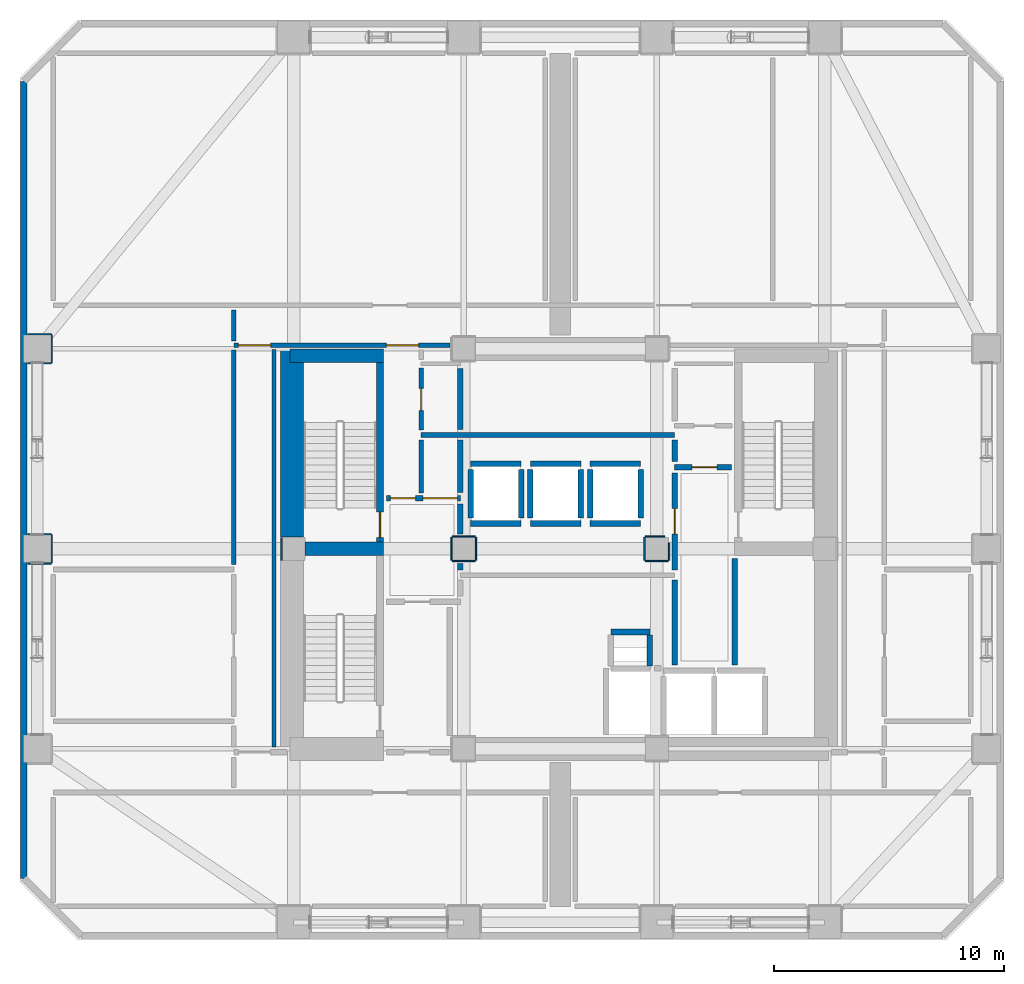
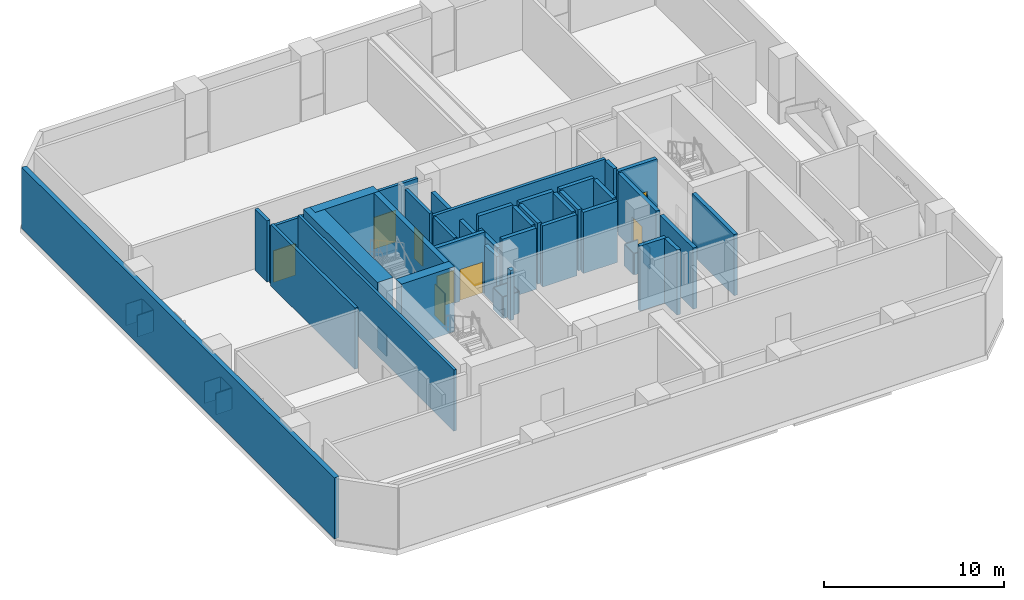
# One storey, part 8 of 11: 51 walls, 8 doors, 8 openings.
"""IFC4 building model written with IfcOpenShell, lengths in metres."""

from ifc_helpers import new_model, si_unit, direction, frame, frame_2d, origin, place, context, subcontext, project, spatial, rectangle, extrude, material, layer, layer_set, type_object, element, fill, save


model = new_model("IFC4")

# Units and contexts
model_context = context("Model", 3, precision=1e-05, world=origin(), true_north=direction((0.0, 1.0)))
body_context = subcontext(model_context, "Body", "Model", "MODEL_VIEW")
ifc_project = project(units=[si_unit("LENGTHUNIT", "METRE"), si_unit("AREAUNIT", "SQUARE_METRE"), si_unit("VOLUMEUNIT", "CUBIC_METRE"), si_unit("PLANEANGLEUNIT", "RADIAN"), si_unit("MASSUNIT", "GRAM", prefix="KILO")], contexts=[model_context])

# Site, building, storey
site_placement = place(None, origin())
site = spatial("IfcSite", under=ifc_project, at=site_placement, CompositionType="ELEMENT")
building_placement = place(site_placement, origin())
building = spatial("IfcBuilding", under=site, at=building_placement, Name="Solanera Arch Residences", CompositionType="ELEMENT")
storey_placement = place(building_placement, frame((0.0, 0.0, 88.39990234375)))
storey = spatial("IfcBuildingStorey", under=building, at=storey_placement, Name="L25", CompositionType="ELEMENT", Elevation=88.39990234375)

# Walls
ifc_material_1 = material(Name="Fire-Rated Gypsum Stud Partition", Category="gypsum")
ifc_layer_1 = layer(ifc_material_1, 0.06005859375)
ifc_layer_set_1 = layer_set([ifc_layer_1], Name="Fire-Rated Gypsum Stud Partition")
wall_type_1 = type_object("IfcWallType", Name="Column Acoustic Furring Wall 60", PredefinedType="PARTITIONING", material=ifc_layer_set_1)
wall_1_placement = place(storey_placement, frame((12.867919921875, 30.2099609375, 0.0), z_axis=(0.0, 0.0, 1.0), x_axis=(0.0, 1.0, 0.0)))
element("IfcWall", 1, at=wall_1_placement, inside=storey, type_object=wall_type_1, Name="L25 Column Furring 5W", PredefinedType="PARTITIONING", context=body_context, shape_type="SweptSolid", body=[
    extrude(rectangle(XDim=0.97998046875, YDim=0.06005859375, at=frame_2d((0.489990234375, 0.0))), origin(), (0.0, 0.0, 1.0), 1.4501953125),
])
for number, where, z_axis, x_axis, name in (
    (2, (20.300048828125, 30.16796875, 0.0), (0.0, 0.0, 1.0), (1.0, 0.0, 0.0), "L25 Column Furring 7S"),
    (3, (20.300048828125, 31.23193359375, 0.0), (0.0, 0.0, 1.0), (1.0, 0.0, 0.0), "L25 Column Furring 7N"),
    (4, (20.26806640625, 30.199951171875, 0.0), (0.0, 0.0, 1.0), (0.0, 1.0, 0.0), "L25 Column Furring 7W"),
    (5, (21.33203125, 30.199951171875, 0.0), (0.0, 0.0, 1.0), (0.0, 1.0, 0.0), "L25 Column Furring 7E"),
    (6, (28.699951171875, 30.16796875, 0.0), (0.0, 0.0, 1.0), (1.0, 0.0, 0.0), "L25 Column Furring 8S"),
):
    element("IfcWall", number, at=place(storey_placement, frame(where, z_axis=z_axis, x_axis=x_axis)), inside=storey, type_object=wall_type_1, Name=name, PredefinedType="PARTITIONING", context=body_context, shape_type="SweptSolid", body=[
        extrude(rectangle(XDim=1.0, YDim=0.06005859375, at=frame_2d((0.5, 0.0))), origin(), (0.0, 0.0, 1.0), 1.4501953125),
    ])
wall_2_placement = place(storey_placement, frame((28.699951171875, 31.23193359375, 0.0), z_axis=(0.0, 0.0, 1.0), x_axis=(1.0, 0.0, 0.0)))
element("IfcWall", 7, at=wall_2_placement, inside=storey, type_object=wall_type_1, Name="L25 Column Furring 8N", PredefinedType="PARTITIONING", context=body_context, shape_type="SweptSolid", body=[
    extrude(rectangle(XDim=0.841064453125, YDim=0.06005859375, at=frame_2d((0.42041015625, 0.0))), origin(), (0.0, 0.0, 1.0), 1.4501953125),
])
wall_3_placement = place(storey_placement, frame((28.66796875, 30.199951171875, 0.0), z_axis=(0.0, 0.0, 1.0), x_axis=(0.0, 1.0, 0.0)))
element("IfcWall", 8, at=wall_3_placement, inside=storey, type_object=wall_type_1, Name="L25 Column Furring 8W", PredefinedType="PARTITIONING", context=body_context, shape_type="SweptSolid", body=[
    extrude(rectangle(XDim=1.0, YDim=0.06005859375, at=frame_2d((0.5, 0.0))), origin(), (0.0, 0.0, 1.0), 1.4501953125),
])
wall_4_placement = place(storey_placement, frame((29.73193359375, 30.199951171875, 0.0), z_axis=(0.0, 0.0, 1.0), x_axis=(0.0, 1.0, 0.0)))
element("IfcWall", 9, at=wall_4_placement, inside=storey, type_object=wall_type_1, Name="L25 Column Furring 8E", PredefinedType="PARTITIONING", context=body_context, shape_type="SweptSolid", body=[
    extrude(rectangle(XDim=0.77197265625, YDim=0.06005859375, at=frame_2d((0.385986328125, 0.0))), origin(), (0.0, 0.0, 1.0), 1.4501953125),
])
for number, where, z_axis, x_axis, name in (
    (10, (1.830078125, 30.068115234375, 0.0), (0.0, 0.0, 1.0), (1.0, 0.0, 0.0), "L25 Column Furring 19S"),
    (11, (1.830078125, 31.33203125, 0.0), (0.0, 0.0, 1.0), (1.0, 0.0, 0.0), "L25 Column Furring 19N"),
):
    element("IfcWall", number, at=place(storey_placement, frame(where, z_axis=z_axis, x_axis=x_axis)), inside=storey, type_object=wall_type_1, Name=name, PredefinedType="PARTITIONING", context=body_context, shape_type="SweptSolid", body=[
        extrude(rectangle(XDim=1.02001953125, YDim=0.06005859375, at=frame_2d((0.510009765625, 0.0))), origin(), (0.0, 0.0, 1.0), 1.4501953125),
    ])
wall_5_placement = place(storey_placement, frame((2.882080078125, 30.10009765625, 0.0), z_axis=(0.0, 0.0, 1.0), x_axis=(0.0, 1.0, 0.0)))
element("IfcWall", 12, at=wall_5_placement, inside=storey, type_object=wall_type_1, Name="L25 Column Furring 19E", PredefinedType="PARTITIONING", context=body_context, shape_type="SweptSolid", body=[
    extrude(rectangle(XDim=1.199951171875, YDim=0.06005859375, at=frame_2d((0.60009765625, 0.0))), origin(), (0.0, 0.0, 1.0), 1.4501953125),
])
for number, where, z_axis, x_axis, name in (
    (13, (1.830078125, 38.76806640625, 0.0), (0.0, 0.0, 1.0), (1.0, 0.0, 0.0), "L25 Column Furring 21S"),
    (14, (1.830078125, 40.031982421875, 0.0), (0.0, 0.0, 1.0), (1.0, 0.0, 0.0), "L25 Column Furring 21N"),
):
    element("IfcWall", number, at=place(storey_placement, frame(where, z_axis=z_axis, x_axis=x_axis)), inside=storey, type_object=wall_type_1, Name=name, PredefinedType="PARTITIONING", context=body_context, shape_type="SweptSolid", body=[
        extrude(rectangle(XDim=1.02001953125, YDim=0.06005859375, at=frame_2d((0.510009765625, 0.0))), origin(), (0.0, 0.0, 1.0), 1.4501953125),
    ])
wall_6_placement = place(storey_placement, frame((2.882080078125, 38.800048828125, 0.0), z_axis=(0.0, 0.0, 1.0), x_axis=(0.0, 1.0, 0.0)))
element("IfcWall", 15, at=wall_6_placement, inside=storey, type_object=wall_type_1, Name="L25 Column Furring 21E", PredefinedType="PARTITIONING", context=body_context, shape_type="SweptSolid", body=[
    extrude(rectangle(XDim=1.199951171875, YDim=0.06005859375, at=frame_2d((0.60009765625, 0.0))), origin(), (0.0, 0.0, 1.0), 1.4501953125),
])
ifc_material_2 = material(Name="Concrete C55/67 (f'c = 60 MPa)", Category="concrete")
ifc_layer_2 = layer(ifc_material_2, 1.0)
ifc_layer_set_2 = layer_set([ifc_layer_2], Name="Concrete C55/67 (f'c = 60 MPa)")
wall_type_2 = type_object("IfcWallType", Name="Core Shear Wall CW-1000", PredefinedType="SHEAR", material=ifc_layer_set_2)
wall_7_placement = place(storey_placement, frame((13.340087890625, 31.205078125, 0.0), z_axis=(0.0, 0.0, 1.0), x_axis=(0.0, 1.0, 0.0)))
element("IfcWall", 16, at=wall_7_placement, inside=storey, type_object=wall_type_2, Name="L25 West Core North Shear Wall", PredefinedType="SHEAR", context=body_context, shape_type="SweptSolid", body=[
    extrude(rectangle(XDim=8.19482421875, YDim=1.0, at=frame_2d((4.097412109375, 0.0))), origin(), (0.0, 0.0, 1.0), 4.400146484375),
])

# Wall, opening, door
ifc_material_3 = material(Name="Concrete C40/50 (f'c = 45 MPa)", Category="concrete")
ifc_layer_3 = layer(ifc_material_3, 0.320068359375)
ifc_layer_set_3 = layer_set([ifc_layer_3], Name="Concrete C40/50 (f'c = 45 MPa)")
wall_type_3 = type_object("IfcWallType", Name="Core Shear Wall CW-320", PredefinedType="SHEAR", material=ifc_layer_set_3)
wall_8_placement = place(storey_placement, frame((17.159912109375, 31.0, 0.0), z_axis=(0.0, 0.0, 1.0), x_axis=(0.0, 1.0, 0.0)))
wall_8 = element("IfcWall", 17, at=wall_8_placement, inside=storey, type_object=wall_type_3, Name="L25 Stair ST-T1 East Shear Wall", PredefinedType="SHEAR", context=body_context, shape_type="SweptSolid", body=[
    extrude(rectangle(XDim=7.800048828125, YDim=0.320068359375, at=frame_2d((3.89990234375, 0.0))), origin(), (0.0, 0.0, 1.0), 4.400146484375),
])
opening_1_placement = place(wall_8_placement, frame((0.18994140625, 0.0, 0.0)))
opening_1 = element("IfcOpeningElement", 18, at=opening_1_placement, cuts=wall_8, Name="Opening DF-01", PredefinedType="OPENING", context=body_context, shape_type="SweptSolid", body=[
    extrude(rectangle(XDim=1.10009765625, YDim=2.14990234375, at=frame_2d((0.550048828125, 1.074951171875))), frame((0.0, 0.169921875, 0.0), z_axis=(0.0, -1.0, 0.0), x_axis=(1.0, 0.0, 0.0)), (0.0, 0.0, 1.0), 0.3401),
])
ifc_material_4 = material(Name="Fire-Rated Architectural Hardwood", Category="wood")
door_type_1 = type_object("IfcDoorType", Name="Stair Exit Fire Door DF-01", OperationType="NOTDEFINED", PredefinedType="DOOR", material=ifc_material_4)
door_1_placement = place(opening_1_placement, origin())
door_1 = element("IfcDoor", 19, at=door_1_placement, inside=storey, type_object=door_type_1, Name="DR-L25-STAIR-ST-T1", OperationType="SINGLE_SWING_LEFT", OverallHeight=2.14990234375, OverallWidth=1.10009765625, PredefinedType="DOOR", context=body_context, shape_type="SweptSolid", body=[
    extrude(rectangle(XDim=1.10009765625, YDim=2.14990234375, at=frame_2d((0.550048828125, 1.074951171875))), frame((0.0, 0.02490234375, 0.0), z_axis=(0.0, -1.0, 0.0), x_axis=(1.0, 0.0, 0.0)), (0.0, 0.0, 1.0), 0.050048828125),
])
fill(opening_1, door_1)

# Walls
ifc_material_5 = material(Name="Concrete C40/50 (f'c = 45 MPa)", Category="concrete")
ifc_layer_4 = layer(ifc_material_5, 0.60009765625)
ifc_layer_set_4 = layer_set([ifc_layer_4], Name="Concrete C40/50 (f'c = 45 MPa)")
wall_type_4 = type_object("IfcWallType", Name="Core Shear Wall CW-600", PredefinedType="SHEAR", material=ifc_layer_set_4)
wall_9_placement = place(storey_placement, frame((13.239990234375, 39.10009765625, 0.0), z_axis=(0.0, 0.0, 1.0), x_axis=(1.0, 0.0, 0.0)))
element("IfcWall", 20, at=wall_9_placement, inside=storey, type_object=wall_type_4, Name="L25 North-West Core Shear Wall", PredefinedType="SHEAR", context=body_context, shape_type="SweptSolid", body=[
    extrude(rectangle(XDim=4.080078125, YDim=0.60009765625, at=frame_2d((2.0400390625, 0.0))), origin(), (0.0, 0.0, 1.0), 4.400146484375),
])
wall_10_placement = place(storey_placement, frame((13.905029296875, 30.699951171875, 0.0), z_axis=(0.0, 0.0, 1.0), x_axis=(1.0, 0.0, 0.0)))
element("IfcWall", 21, at=wall_10_placement, inside=storey, type_object=wall_type_4, Name="L25 West Stair Divider Shear Wall", PredefinedType="SHEAR", context=body_context, shape_type="SweptSolid", body=[
    extrude(rectangle(XDim=3.4150390625, YDim=0.60009765625, at=frame_2d((1.70751953125, 0.0))), origin(), (0.0, 0.0, 1.0), 4.400146484375),
])

# Wall, openings, doors
ifc_material_6 = material(Name="Autoclaved Aerated Concrete Blockwork", Category="masonry")
ifc_layer_5 = layer(ifc_material_6, 0.179931640625)
ifc_layer_set_5 = layer_set([ifc_layer_5], Name="Autoclaved Aerated Concrete Blockwork")
wall_type_5 = type_object("IfcWallType", Name="Corridor Fire Partition 180", PredefinedType="PARTITIONING", material=ifc_layer_set_5)
wall_11_placement = place(storey_placement, frame((10.800048828125, 39.550048828125, 0.0), z_axis=(0.0, 0.0, 1.0), x_axis=(1.0, 0.0, 0.0)))
wall_11 = element("IfcWall", 22, at=wall_11_placement, inside=storey, type_object=wall_type_5, Name="L25 Interior Partition H19 1", PredefinedType="PARTITIONING", context=body_context, shape_type="SweptSolid", body=[
    extrude(rectangle(XDim=9.39794921875, YDim=0.179931640625, at=frame_2d((4.698974609375, 0.0))), origin(), (0.0, 0.0, 1.0), 3.878173828125),
])
opening_2_placement = place(wall_11_placement, frame((6.635009765625, 0.0, 0.0)))
opening_2 = element("IfcOpeningElement", 23, at=opening_2_placement, cuts=wall_11, Name="Opening DF-03", PredefinedType="OPENING", context=body_context, shape_type="SweptSolid", body=[
    extrude(rectangle(XDim=1.39990234375, YDim=2.14990234375, at=frame_2d((0.699951171875, 1.074951171875))), frame((0.0, 0.10009765625, 0.0), z_axis=(0.0, -1.0, 0.0), x_axis=(1.0, 0.0, 0.0)), (0.0, 0.0, 1.0), 0.1999),
])
opening_3_placement = place(wall_11_placement, frame((0.198974609375, 0.0, 0.0)))
opening_3 = element("IfcOpeningElement", 24, at=opening_3_placement, cuts=wall_11, Name="Opening DF-03", PredefinedType="OPENING", context=body_context, shape_type="SweptSolid", body=[
    extrude(rectangle(XDim=1.39990234375, YDim=2.14990234375, at=frame_2d((0.699951171875, 1.074951171875))), frame((0.0, 0.10009765625, 0.0), z_axis=(0.0, -1.0, 0.0), x_axis=(1.0, 0.0, 0.0)), (0.0, 0.0, 1.0), 0.1999),
])
ifc_material_7 = material(Name="Fire-Rated Architectural Hardwood", Category="wood")
door_type_2 = type_object("IfcDoorType", Name="Corridor Smoke Door DF-03", OperationType="NOTDEFINED", PredefinedType="DOOR", material=ifc_material_7)
door_2_placement = place(opening_2_placement, origin())
door_2 = element("IfcDoor", 25, at=door_2_placement, inside=storey, type_object=door_type_2, Name="DR-L25-IN-009", OperationType="SINGLE_SWING_LEFT", OverallHeight=2.14990234375, OverallWidth=1.39990234375, PredefinedType="DOOR", context=body_context, shape_type="SweptSolid", body=[
    extrude(rectangle(XDim=1.39990234375, YDim=2.14990234375, at=frame_2d((0.699951171875, 1.074951171875))), frame((0.0, 0.02490234375, 0.0), z_axis=(0.0, -1.0, 0.0), x_axis=(1.0, 0.0, 0.0)), (0.0, 0.0, 1.0), 0.050048828125),
])
fill(opening_2, door_2)
door_3_placement = place(opening_3_placement, origin())
door_3 = element("IfcDoor", 26, at=door_3_placement, inside=storey, type_object=door_type_2, Name="DR-L25-IN-012", OperationType="SINGLE_SWING_RIGHT", OverallHeight=2.14990234375, OverallWidth=1.39990234375, PredefinedType="DOOR", context=body_context, shape_type="SweptSolid", body=[
    extrude(rectangle(XDim=1.39990234375, YDim=2.14990234375, at=frame_2d((0.699951171875, 1.074951171875))), frame((0.0, 0.02490234375, 0.0), z_axis=(0.0, -1.0, 0.0), x_axis=(1.0, 0.0, 0.0)), (0.0, 0.0, 1.0), 0.050048828125),
])
fill(opening_3, door_3)

# Walls
wall_12_placement = place(storey_placement, frame((12.550048828125, 22.068115234375, 0.0), z_axis=(0.0, 0.0, 1.0), x_axis=(0.0, 1.0, 0.0)))
element("IfcWall", 27, at=wall_12_placement, inside=storey, type_object=wall_type_5, Name="L25 Interior Partition V20", PredefinedType="PARTITIONING", context=body_context, shape_type="SweptSolid", body=[
    extrude(rectangle(XDim=17.2939453125, YDim=0.179931640625, at=frame_2d((8.64697265625, 0.0))), origin(), (0.0, 0.0, 1.0), 4.14013671875),
])
ifc_material_8 = material(Name="Precast Concrete C35/45", Category="concrete")
ifc_layer_6 = layer(ifc_material_8, 0.300048828125)
ifc_layer_set_6 = layer_set([ifc_layer_6], Name="Precast Concrete C35/45")
wall_type_6 = type_object("IfcWallType", Name="Exterior Wall Precast Masonry-Frame 300", PredefinedType="STANDARD", material=ifc_layer_set_6)
wall_13_placement = place(storey_placement, frame((1.6650390625, 16.364990234375, 0.0), z_axis=(0.0, 0.0, 1.0), x_axis=(0.0, 1.0, 0.0)))
element("IfcWall", 28, at=wall_13_placement, inside=storey, type_object=wall_type_6, Name="L25 Tower Exterior Precast Masonry-Frame Wall W", PredefinedType="STANDARD", context=body_context, shape_type="SweptSolid", body=[
    extrude(rectangle(XDim=34.669921875, YDim=0.300048828125, at=frame_2d((17.3349609375, 0.0))), origin(), (0.0, 0.0, 1.0), 4.14013671875),
])
ifc_material_9 = material(Name="Autoclaved Aerated Concrete Blockwork", Category="masonry")
ifc_layer_7 = layer(ifc_material_9, 0.199951171875)
ifc_layer_set_7 = layer_set([ifc_layer_7], Name="Autoclaved Aerated Concrete Blockwork")
wall_type_7 = type_object("IfcWallType", Name="Party Wall Acoustic 200", PredefinedType="PARTITIONING", material=ifc_layer_set_7)
wall_14_placement = place(storey_placement, frame((18.949951171875, 35.64990234375, 0.0), z_axis=(0.0, 0.0, 1.0), x_axis=(1.0, 0.0, 0.0)))
element("IfcWall", 29, at=wall_14_placement, inside=storey, type_object=wall_type_7, Name="L25 Interior Partition H13", PredefinedType="PARTITIONING", context=body_context, shape_type="SweptSolid", body=[
    extrude(rectangle(XDim=11.025146484375, YDim=0.199951171875, at=frame_2d((5.5126953125, 0.0))), origin(), (0.0, 0.0, 1.0), 4.14013671875),
])
wall_15_placement = place(storey_placement, frame((10.800048828125, 30.008056640625, 0.0), z_axis=(0.0, 0.0, 1.0), x_axis=(0.0, 1.0, 0.0)))
element("IfcWall", 30, at=wall_15_placement, inside=storey, type_object=wall_type_7, Name="L25 Interior Partition V9 4", PredefinedType="PARTITIONING", context=body_context, shape_type="SweptSolid", body=[
    extrude(rectangle(XDim=9.343994140625, YDim=0.199951171875, at=frame_2d((4.671875, 0.0))), origin(), (0.0, 0.0, 1.0), 4.14013671875),
])
wall_16_placement = place(storey_placement, frame((10.800048828125, 39.748046875, 0.0), z_axis=(0.0, 0.0, 1.0), x_axis=(0.0, 1.0, 0.0)))
element("IfcWall", 31, at=wall_16_placement, inside=storey, type_object=wall_type_7, Name="L25 Interior Partition V9 5", PredefinedType="PARTITIONING", context=body_context, shape_type="SweptSolid", body=[
    extrude(rectangle(XDim=1.343994140625, YDim=0.199951171875, at=frame_2d((0.671875, 0.0))), origin(), (0.0, 0.0, 1.0), 4.14013671875),
])
wall_17_placement = place(storey_placement, frame((18.949951171875, 33.1279296875, 0.0), z_axis=(0.0, 0.0, 1.0), x_axis=(0.0, 1.0, 0.0)))
element("IfcWall", 32, at=wall_17_placement, inside=storey, type_object=wall_type_7, Name="L25 Interior Partition V10 1", PredefinedType="PARTITIONING", context=body_context, shape_type="SweptSolid", body=[
    extrude(rectangle(XDim=2.31396484375, YDim=0.199951171875, at=frame_2d((1.156982421875, 0.0))), origin(), (0.0, 0.0, 1.0), 4.14013671875),
])

# Wall, opening, door
wall_18_placement = place(storey_placement, frame((18.949951171875, 35.85791015625, 0.0), z_axis=(0.0, 0.0, 1.0), x_axis=(0.0, 1.0, 0.0)))
wall_18 = element("IfcWall", 33, at=wall_18_placement, inside=storey, type_object=wall_type_7, Name="L25 Interior Partition V10 2", PredefinedType="PARTITIONING", context=body_context, shape_type="SweptSolid", body=[
    extrude(rectangle(XDim=2.714111328125, YDim=0.199951171875, at=frame_2d((1.35693359375, 0.0))), origin(), (0.0, 0.0, 1.0), 4.14013671875),
])
opening_4_placement = place(wall_18_placement, frame((0.866943359375, 0.0, 0.0)))
opening_4 = element("IfcOpeningElement", 34, at=opening_4_placement, cuts=wall_18, Name="Opening DI-04", PredefinedType="OPENING", context=body_context, shape_type="SweptSolid", body=[
    extrude(rectangle(XDim=0.949951171875, YDim=2.10009765625, at=frame_2d((0.47509765625, 1.050048828125))), frame((0.0, 0.110107421875, 0.0), z_axis=(0.0, -1.0, 0.0), x_axis=(1.0, 0.0, 0.0)), (0.0, 0.0, 1.0), 0.22),
])
ifc_material_10 = material(Name="Fire-Rated Architectural Hardwood", Category="wood")
door_type_3 = type_object("IfcDoorType", Name="Accessible Restroom Door DI-04", OperationType="NOTDEFINED", PredefinedType="DOOR", material=ifc_material_10)
door_4_placement = place(opening_4_placement, origin())
door_4 = element("IfcDoor", 35, at=door_4_placement, inside=storey, type_object=door_type_3, Name="DR-L25-IN-016", OperationType="SINGLE_SWING_RIGHT", OverallHeight=2.10009765625, OverallWidth=0.949951171875, PredefinedType="DOOR", context=body_context, shape_type="SweptSolid", body=[
    extrude(rectangle(XDim=0.949951171875, YDim=2.10009765625, at=frame_2d((0.47509765625, 1.050048828125))), frame((0.0, 0.02490234375, 0.0), z_axis=(0.0, -1.0, 0.0), x_axis=(1.0, 0.0, 0.0)), (0.0, 0.0, 1.0), 0.050048828125),
])
fill(opening_4, door_4)

# Walls
ifc_material_11 = material(Name="Concrete C40/50 (f'c = 45 MPa)", Category="concrete")
ifc_layer_8 = layer(ifc_material_11, 0.239990234375)
ifc_layer_set_8 = layer_set([ifc_layer_8], Name="Concrete C40/50 (f'c = 45 MPa)")
wall_type_8 = type_object("IfcWallType", Name="Ramp Bearing Shear Wall RW-240", PredefinedType="SHEAR", material=ifc_layer_set_8)
wall_19_placement = place(storey_placement, frame((27.199951171875, 27.080078125, 0.0), z_axis=(0.0, 0.0, 1.0), x_axis=(1.0, 0.0, 0.0)))
element("IfcWall", 36, at=wall_19_placement, inside=storey, type_object=wall_type_8, Name="L25 Core MEP Riser North Shaft Wall", PredefinedType="SHEAR", context=body_context, shape_type="SweptSolid", body=[
    extrude(rectangle(XDim=1.699951171875, YDim=0.239990234375, at=frame_2d((0.85009765625, 0.0))), origin(), (0.0, 0.0, 1.0), 4.400146484375),
])
wall_20_placement = place(storey_placement, frame((28.89990234375, 25.60009765625, 0.0), z_axis=(0.0, 0.0, 1.0), x_axis=(0.0, 1.0, 0.0)))
element("IfcWall", 37, at=wall_20_placement, inside=storey, type_object=wall_type_8, Name="L25 Core MEP Riser East Shaft Wall", PredefinedType="SHEAR", context=body_context, shape_type="SweptSolid", body=[
    extrude(rectangle(XDim=1.35986328125, YDim=0.239990234375, at=frame_2d((0.679931640625, 0.0))), origin(), (0.0, 0.0, 1.0), 4.400146484375),
])
ifc_material_12 = material(Name="Autoclaved Aerated Concrete Blockwork", Category="masonry")
ifc_layer_9 = layer(ifc_material_12, 0.239990234375)
ifc_layer_set_9 = layer_set([ifc_layer_9], Name="Autoclaved Aerated Concrete Blockwork")
wall_type_9 = type_object("IfcWallType", Name="Shaft Wall Fire-Rated 240", PredefinedType="PARTITIONING", material=ifc_layer_set_9)
for number, where, z_axis, x_axis, name in (
    (38, (21.10009765625, 31.800048828125, 0.0), (0.0, 0.0, 1.0), (1.0, 0.0, 0.0), "L25 Lift PL-M1 Hoistway Wall S"),
    (39, (21.10009765625, 34.39990234375, 0.0), (0.0, 0.0, 1.0), (1.0, 0.0, 0.0), "L25 Lift PL-M1 Hoistway Wall N"),
):
    element("IfcWall", number, at=place(storey_placement, frame(where, z_axis=z_axis, x_axis=x_axis)), inside=storey, type_object=wall_type_9, Name=name, PredefinedType="PARTITIONING", context=body_context, shape_type="SweptSolid", body=[
        extrude(rectangle(XDim=2.199951171875, YDim=0.239990234375, at=frame_2d((1.10009765625, 0.0))), origin(), (0.0, 0.0, 1.0), 4.14013671875),
    ])
wall_21_placement = place(storey_placement, frame((21.10009765625, 32.048095703125, 0.0), z_axis=(0.0, 0.0, 1.0), x_axis=(0.0, 1.0, 0.0)))
element("IfcWall", 40, at=wall_21_placement, inside=storey, type_object=wall_type_9, Name="L25 Lift PL-M1 Hoistway Wall W", PredefinedType="PARTITIONING", context=body_context, shape_type="SweptSolid", body=[
    extrude(rectangle(XDim=2.10400390625, YDim=0.239990234375, at=frame_2d((1.052001953125, 0.0))), origin(), (0.0, 0.0, 1.0), 3.375),
])
wall_22_placement = place(storey_placement, frame((23.300048828125, 32.048095703125, 0.0), z_axis=(0.0, 0.0, 1.0), x_axis=(0.0, 1.0, 0.0)))
element("IfcWall", 41, at=wall_22_placement, inside=storey, type_object=wall_type_9, Name="L25 Lift PL-M1 Hoistway Wall E", PredefinedType="PARTITIONING", context=body_context, shape_type="SweptSolid", body=[
    extrude(rectangle(XDim=2.10400390625, YDim=0.239990234375, at=frame_2d((1.052001953125, 0.0))), origin(), (0.0, 0.0, 1.0), 4.14013671875),
])
for number, where, z_axis, x_axis, name in (
    (42, (23.699951171875, 31.800048828125, 0.0), (0.0, 0.0, 1.0), (1.0, 0.0, 0.0), "L25 Lift PL-M2 Hoistway Wall S"),
    (43, (23.699951171875, 34.39990234375, 0.0), (0.0, 0.0, 1.0), (1.0, 0.0, 0.0), "L25 Lift PL-M2 Hoistway Wall N"),
):
    element("IfcWall", number, at=place(storey_placement, frame(where, z_axis=z_axis, x_axis=x_axis)), inside=storey, type_object=wall_type_9, Name=name, PredefinedType="PARTITIONING", context=body_context, shape_type="SweptSolid", body=[
        extrude(rectangle(XDim=2.199951171875, YDim=0.239990234375, at=frame_2d((1.10009765625, 0.0))), origin(), (0.0, 0.0, 1.0), 4.14013671875),
    ])
for number, where, z_axis, x_axis, name in (
    (44, (23.699951171875, 32.048095703125, 0.0), (0.0, 0.0, 1.0), (0.0, 1.0, 0.0), "L25 Lift PL-M2 Hoistway Wall W"),
    (45, (25.89990234375, 32.048095703125, 0.0), (0.0, 0.0, 1.0), (0.0, 1.0, 0.0), "L25 Lift PL-M2 Hoistway Wall E"),
):
    element("IfcWall", number, at=place(storey_placement, frame(where, z_axis=z_axis, x_axis=x_axis)), inside=storey, type_object=wall_type_9, Name=name, PredefinedType="PARTITIONING", context=body_context, shape_type="SweptSolid", body=[
        extrude(rectangle(XDim=2.10400390625, YDim=0.239990234375, at=frame_2d((1.052001953125, 0.0))), origin(), (0.0, 0.0, 1.0), 4.14013671875),
    ])
for number, where, z_axis, x_axis, name in (
    (46, (26.300048828125, 31.800048828125, 0.0), (0.0, 0.0, 1.0), (1.0, 0.0, 0.0), "L25 Lift PL-M3 Hoistway Wall S"),
    (47, (26.300048828125, 34.39990234375, 0.0), (0.0, 0.0, 1.0), (1.0, 0.0, 0.0), "L25 Lift PL-M3 Hoistway Wall N"),
):
    element("IfcWall", number, at=place(storey_placement, frame(where, z_axis=z_axis, x_axis=x_axis)), inside=storey, type_object=wall_type_9, Name=name, PredefinedType="PARTITIONING", context=body_context, shape_type="SweptSolid", body=[
        extrude(rectangle(XDim=2.199951171875, YDim=0.239990234375, at=frame_2d((1.10009765625, 0.0))), origin(), (0.0, 0.0, 1.0), 4.14013671875),
    ])
for number, where, z_axis, x_axis, name in (
    (48, (26.300048828125, 32.048095703125, 0.0), (0.0, 0.0, 1.0), (0.0, 1.0, 0.0), "L25 Lift PL-M3 Hoistway Wall W"),
    (49, (28.5, 32.048095703125, 0.0), (0.0, 0.0, 1.0), (0.0, 1.0, 0.0), "L25 Lift PL-M3 Hoistway Wall E"),
):
    element("IfcWall", number, at=place(storey_placement, frame(where, z_axis=z_axis, x_axis=x_axis)), inside=storey, type_object=wall_type_9, Name=name, PredefinedType="PARTITIONING", context=body_context, shape_type="SweptSolid", body=[
        extrude(rectangle(XDim=2.10400390625, YDim=0.239990234375, at=frame_2d((1.052001953125, 0.0))), origin(), (0.0, 0.0, 1.0), 4.14013671875),
    ])

# Wall, openings, doors
wall_23_placement = place(storey_placement, frame((17.449951171875, 32.89990234375, 0.0), z_axis=(0.0, 0.0, 1.0), x_axis=(1.0, 0.0, 0.0)))
wall_23 = element("IfcWall", 50, at=wall_23_placement, inside=storey, type_object=wall_type_9, Name="L25 Interior Partition H4", PredefinedType="PARTITIONING", context=body_context, shape_type="SweptSolid", body=[
    extrude(rectangle(XDim=3.199951171875, YDim=0.239990234375, at=frame_2d((1.60009765625, 0.0))), origin(), (0.0, 0.0, 1.0), 4.14013671875),
])
opening_5_placement = place(wall_23_placement, frame((0.158935546875, 0.0, 0.0)))
opening_5 = element("IfcOpeningElement", 51, at=opening_5_placement, cuts=wall_23, Name="Opening DF-02", PredefinedType="OPENING", context=body_context, shape_type="SweptSolid", body=[
    extrude(rectangle(XDim=1.10009765625, YDim=2.14990234375, at=frame_2d((0.550048828125, 1.074951171875))), frame((0.0, 0.1298828125, 0.0), z_axis=(0.0, -1.0, 0.0), x_axis=(1.0, 0.0, 0.0)), (0.0, 0.0, 1.0), 0.26),
])
opening_6_placement = place(wall_23_placement, frame((1.575927734375, 0.0, 0.0)))
opening_6 = element("IfcOpeningElement", 52, at=opening_6_placement, cuts=wall_23, Name="Opening DP-01", PredefinedType="OPENING", context=body_context, shape_type="SweptSolid", body=[
    extrude(rectangle(XDim=1.5, YDim=2.14990234375, at=frame_2d((0.75, 1.074951171875))), frame((0.0, 0.1298828125, 0.0), z_axis=(0.0, -1.0, 0.0), x_axis=(1.0, 0.0, 0.0)), (0.0, 0.0, 1.0), 0.26),
])
ifc_material_13 = material(Name="Fire-Rated Architectural Hardwood", Category="wood")
door_type_4 = type_object("IfcDoorType", Name="Firefighting Lobby Fire Door DF-02", OperationType="NOTDEFINED", PredefinedType="DOOR", material=ifc_material_13)
door_5_placement = place(opening_5_placement, origin())
door_5 = element("IfcDoor", 53, at=door_5_placement, inside=storey, type_object=door_type_4, Name="DR-L25-IN-005", OperationType="SINGLE_SWING_LEFT", OverallHeight=2.14990234375, OverallWidth=1.10009765625, PredefinedType="DOOR", context=body_context, shape_type="SweptSolid", body=[
    extrude(rectangle(XDim=1.10009765625, YDim=2.14990234375, at=frame_2d((0.550048828125, 1.074951171875))), frame((0.0, 0.02490234375, 0.0), z_axis=(0.0, -1.0, 0.0), x_axis=(1.0, 0.0, 0.0)), (0.0, 0.0, 1.0), 0.050048828125),
])
fill(opening_5, door_5)
ifc_material_14 = material(Name="Fire-Rated Architectural Hardwood", Category="wood")
door_type_5 = type_object("IfcDoorType", Name="Plant Double Fire Door DP-01", OperationType="NOTDEFINED", PredefinedType="DOOR", material=ifc_material_14)
door_6_placement = place(opening_6_placement, origin())
door_6 = element("IfcDoor", 54, at=door_6_placement, inside=storey, type_object=door_type_5, Name="DR-L25-IN-014", OperationType="SINGLE_SWING_RIGHT", OverallHeight=2.14990234375, OverallWidth=1.5, PredefinedType="DOOR", context=body_context, shape_type="SweptSolid", body=[
    extrude(rectangle(XDim=1.5, YDim=2.14990234375, at=frame_2d((0.75, 1.074951171875))), frame((0.0, 0.02490234375, 0.0), z_axis=(0.0, -1.0, 0.0), x_axis=(1.0, 0.0, 0.0)), (0.0, 0.0, 1.0), 0.050048828125),
])
fill(opening_6, door_6)

# Wall, opening, door
wall_24_placement = place(storey_placement, frame((29.97509765625, 34.25, 0.0), z_axis=(0.0, 0.0, 1.0), x_axis=(1.0, 0.0, 0.0)))
wall_24 = element("IfcWall", 55, at=wall_24_placement, inside=storey, type_object=wall_type_9, Name="L25 Interior Partition H5", PredefinedType="PARTITIONING", context=body_context, shape_type="SweptSolid", body=[
    extrude(rectangle(XDim=2.474853515625, YDim=0.239990234375, at=frame_2d((1.2373046875, 0.0))), origin(), (0.0, 0.0, 1.0), 4.14013671875),
])
opening_7_placement = place(wall_24_placement, frame((0.751953125, 0.0, 0.0)))
opening_7 = element("IfcOpeningElement", 56, at=opening_7_placement, cuts=wall_24, Name="Opening DF-02", PredefinedType="OPENING", context=body_context, shape_type="SweptSolid", body=[
    extrude(rectangle(XDim=1.10009765625, YDim=2.14990234375, at=frame_2d((0.550048828125, 1.074951171875))), frame((0.0, 0.1298828125, 0.0), z_axis=(0.0, -1.0, 0.0), x_axis=(1.0, 0.0, 0.0)), (0.0, 0.0, 1.0), 0.26),
])
door_7_placement = place(opening_7_placement, origin())
door_7 = element("IfcDoor", 57, at=door_7_placement, inside=storey, type_object=door_type_4, Name="DR-L25-IN-007", OperationType="SINGLE_SWING_LEFT", OverallHeight=2.14990234375, OverallWidth=1.10009765625, PredefinedType="DOOR", context=body_context, shape_type="SweptSolid", body=[
    extrude(rectangle(XDim=1.10009765625, YDim=2.14990234375, at=frame_2d((0.550048828125, 1.074951171875))), frame((0.0, 0.02490234375, 0.0), z_axis=(0.0, -1.0, 0.0), x_axis=(1.0, 0.0, 0.0)), (0.0, 0.0, 1.0), 0.050048828125),
])
fill(opening_7, door_7)

# Walls
wall_25_placement = place(storey_placement, frame((20.64990234375, 29.76806640625, 0.0), z_axis=(0.0, 0.0, 1.0), x_axis=(0.0, 1.0, 0.0)))
element("IfcWall", 58, at=wall_25_placement, inside=storey, type_object=wall_type_9, Name="L25 Interior Partition V3 2", PredefinedType="PARTITIONING", context=body_context, shape_type="SweptSolid", body=[
    extrude(rectangle(XDim=0.300048828125, YDim=0.239990234375, at=frame_2d((0.14990234375, 0.0))), origin(), (0.0, 0.0, 1.0), 3.375),
])
wall_26_placement = place(storey_placement, frame((20.64990234375, 31.33203125, 0.0), z_axis=(0.0, 0.0, 1.0), x_axis=(0.0, 1.0, 0.0)))
element("IfcWall", 59, at=wall_26_placement, inside=storey, type_object=wall_type_9, Name="L25 Interior Partition V3 3", PredefinedType="PARTITIONING", context=body_context, shape_type="SweptSolid", body=[
    extrude(rectangle(XDim=1.320068359375, YDim=0.239990234375, at=frame_2d((0.66015625, 0.0))), origin(), (0.0, 0.0, 1.0), 3.375),
])
wall_27_placement = place(storey_placement, frame((20.64990234375, 33.14794921875, 0.0), z_axis=(0.0, 0.0, 1.0), x_axis=(0.0, 1.0, 0.0)))
element("IfcWall", 60, at=wall_27_placement, inside=storey, type_object=wall_type_9, Name="L25 Interior Partition V3 4", PredefinedType="PARTITIONING", context=body_context, shape_type="SweptSolid", body=[
    extrude(rectangle(XDim=2.274169921875, YDim=0.239990234375, at=frame_2d((1.13720703125, 0.0))), origin(), (0.0, 0.0, 1.0), 3.375),
])
wall_28_placement = place(storey_placement, frame((20.64990234375, 35.8779296875, 0.0), z_axis=(0.0, 0.0, 1.0), x_axis=(0.0, 1.0, 0.0)))
element("IfcWall", 61, at=wall_28_placement, inside=storey, type_object=wall_type_9, Name="L25 Interior Partition V3 5", PredefinedType="PARTITIONING", context=body_context, shape_type="SweptSolid", body=[
    extrude(rectangle(XDim=2.674072265625, YDim=0.239990234375, at=frame_2d((1.3369140625, 0.0))), origin(), (0.0, 0.0, 1.0), 3.375),
])
wall_29_placement = place(storey_placement, frame((29.97509765625, 25.64794921875, 0.0), z_axis=(0.0, 0.0, 1.0), x_axis=(0.0, 1.0, 0.0)))
element("IfcWall", 62, at=wall_29_placement, inside=storey, type_object=wall_type_9, Name="L25 Interior Partition V4 1", PredefinedType="PARTITIONING", context=body_context, shape_type="SweptSolid", body=[
    extrude(rectangle(XDim=3.68408203125, YDim=0.239990234375, at=frame_2d((1.842041015625, 0.0))), origin(), (0.0, 0.0, 1.0), 4.14013671875),
])

# Wall, opening, door
wall_30_placement = place(storey_placement, frame((29.97509765625, 29.76806640625, 0.0), z_axis=(0.0, 0.0, 1.0), x_axis=(0.0, 1.0, 0.0)))
wall_30 = element("IfcWall", 63, at=wall_30_placement, inside=storey, type_object=wall_type_9, Name="L25 Interior Partition V4 2", PredefinedType="PARTITIONING", context=body_context, shape_type="SweptSolid", body=[
    extrude(rectangle(XDim=4.23388671875, YDim=0.239990234375, at=frame_2d((2.116943359375, 0.0))), origin(), (0.0, 0.0, 1.0), 4.14013671875),
])
opening_8_placement = place(wall_30_placement, frame((1.58203125, 0.0, 0.0)))
opening_8 = element("IfcOpeningElement", 64, at=opening_8_placement, cuts=wall_30, Name="Opening DF-02", PredefinedType="OPENING", context=body_context, shape_type="SweptSolid", body=[
    extrude(rectangle(XDim=1.10009765625, YDim=2.14990234375, at=frame_2d((0.550048828125, 1.074951171875))), frame((0.0, 0.1298828125, 0.0), z_axis=(0.0, -1.0, 0.0), x_axis=(1.0, 0.0, 0.0)), (0.0, 0.0, 1.0), 0.26),
])
door_8_placement = place(opening_8_placement, origin())
door_8 = element("IfcDoor", 65, at=door_8_placement, inside=storey, type_object=door_type_4, Name="DR-L25-IN-006", OperationType="SINGLE_SWING_RIGHT", OverallHeight=2.14990234375, OverallWidth=1.10009765625, PredefinedType="DOOR", context=body_context, shape_type="SweptSolid", body=[
    extrude(rectangle(XDim=1.10009765625, YDim=2.14990234375, at=frame_2d((0.550048828125, 1.074951171875))), frame((0.0, 0.02490234375, 0.0), z_axis=(0.0, -1.0, 0.0), x_axis=(1.0, 0.0, 0.0)), (0.0, 0.0, 1.0), 0.050048828125),
])
fill(opening_8, door_8)

# Walls
wall_31_placement = place(storey_placement, frame((29.97509765625, 34.498046875, 0.0), z_axis=(0.0, 0.0, 1.0), x_axis=(0.0, 1.0, 0.0)))
element("IfcWall", 66, at=wall_31_placement, inside=storey, type_object=wall_type_9, Name="L25 Interior Partition V4 3", PredefinedType="PARTITIONING", context=body_context, shape_type="SweptSolid", body=[
    extrude(rectangle(XDim=0.924072265625, YDim=0.239990234375, at=frame_2d((0.4619140625, 0.0))), origin(), (0.0, 0.0, 1.0), 4.14013671875),
])
wall_32_placement = place(storey_placement, frame((32.580078125, 25.64794921875, 0.0), z_axis=(0.0, 0.0, 1.0), x_axis=(0.0, 1.0, 0.0)))
element("IfcWall", 67, at=wall_32_placement, inside=storey, type_object=wall_type_9, Name="L25 Interior Partition V5", PredefinedType="PARTITIONING", context=body_context, shape_type="SweptSolid", body=[
    extrude(rectangle(XDim=4.6220703125, YDim=0.239990234375, at=frame_2d((2.31103515625, 0.0))), origin(), (0.0, 0.0, 1.0), 4.14013671875),
])

save(model, "model.ifc")
